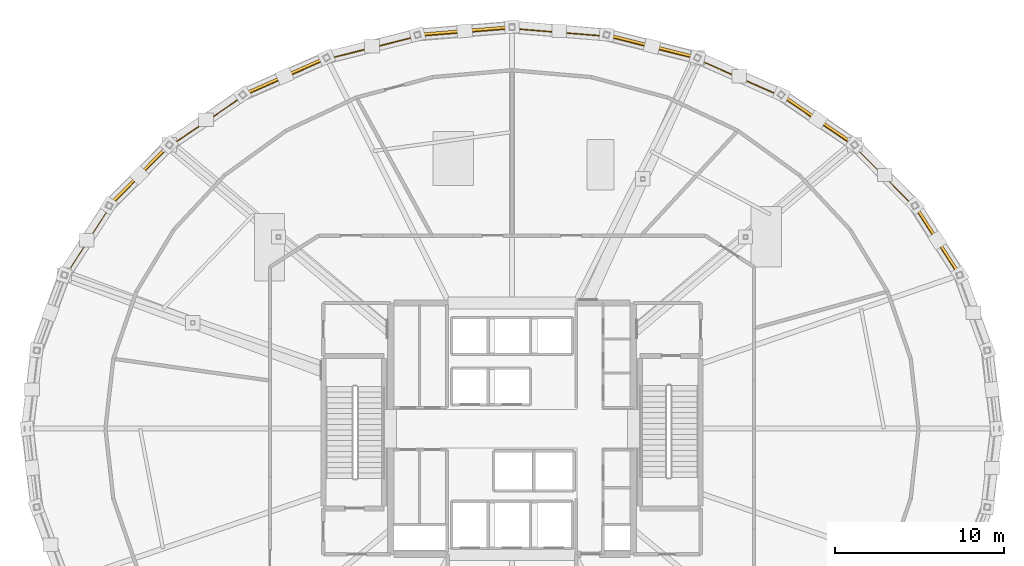
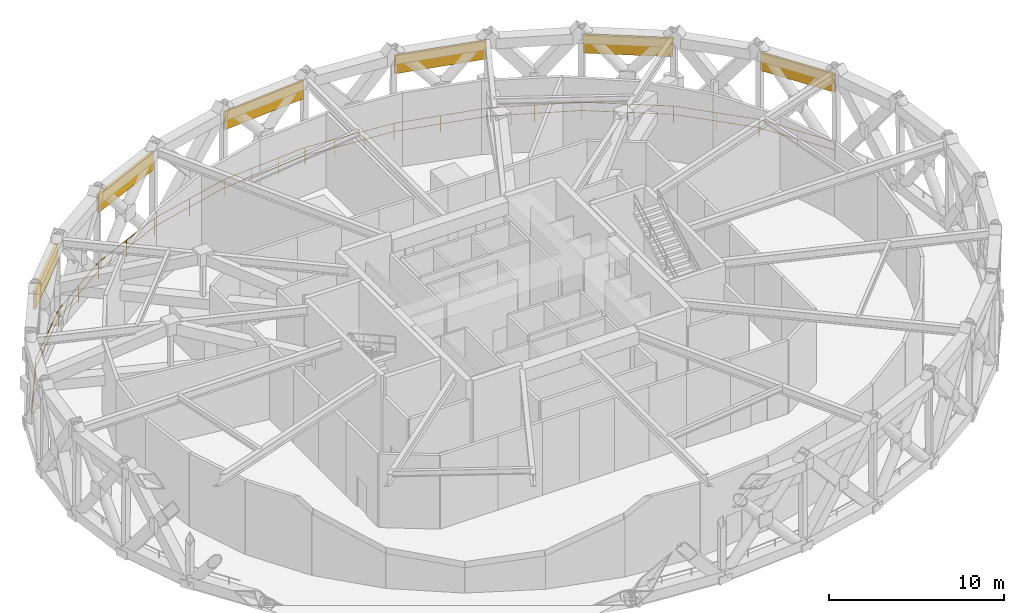
# One storey, part 14 of 15: 6 railings, 6 shading devices.
"""IFC4 building model written with IfcOpenShell, lengths in metres."""

from ifc_helpers import new_model, si_unit, direction, frame, origin, origin_2d, place, context, subcontext, project, spatial, rectangle, circle, extrude, material, layer, layer_set, type_object, element, save


model = new_model("IFC4")

# Units and contexts
model_context = context("Model", 3, precision=1e-05, world=origin(), true_north=direction((0.0, 1.0)))
body_context = subcontext(model_context, "Body", "Model", "MODEL_VIEW")
ifc_project = project(units=[si_unit("LENGTHUNIT", "METRE"), si_unit("AREAUNIT", "SQUARE_METRE"), si_unit("VOLUMEUNIT", "CUBIC_METRE"), si_unit("PLANEANGLEUNIT", "RADIAN"), si_unit("MASSUNIT", "GRAM", prefix="KILO")], contexts=[model_context])

# Site, building, storey
site_placement = place(None, origin())
site = spatial("IfcSite", under=ifc_project, at=site_placement, CompositionType="ELEMENT")
building_placement = place(site_placement, origin())
building = spatial("IfcBuilding", under=site, at=building_placement, Name="Veldorina Hangang Commons", CompositionType="ELEMENT")
storey_placement = place(building_placement, frame((0.0, 0.0, 110.800048828125)))
storey = spatial("IfcBuildingStorey", under=building, at=storey_placement, Name="L28", CompositionType="ELEMENT", Elevation=110.800048828125)

# Shading devices
ifc_material_1 = material(Name="Bronze Perforated Anodized", Category="metal")
ifc_layer = layer(ifc_material_1, 0.159912109375)
ifc_layer_set = layer_set([ifc_layer], Name="Bronze Perforated Anodized")
shading_device_type = type_object("IfcShadingDeviceType", Name="LVR-WND-4800", PredefinedType="JALOUSIE", material=ifc_layer_set)
shading_device_1_placement = place(storey_placement, frame((57.22900390625, 35.17529296875, 4.5849609375), z_axis=(0.0, 0.0, 1.0), x_axis=(-0.542016257641, 0.840368000612, 0.0)))
element("IfcShadingDevice", 1, at=shading_device_1_placement, inside=storey, type_object=shading_device_type, Name="L28 open wind-floor high storm louvre 02", PredefinedType="JALOUSIE", context=body_context, shape_type="SweptSolid", body=[
    extrude(rectangle(XDim=4.78076171875, YDim=0.159912109375, at=origin_2d()), origin(), (0.0, 0.0, 1.0), 1.25),
])
shading_device_2_placement = place(storey_placement, frame((50.14794921875, 42.32568359375, 4.5849609375), z_axis=(0.0, 0.0, 1.0), x_axis=(-0.826884319778, 0.562372049186, 0.0)))
element("IfcShadingDevice", 2, at=shading_device_2_placement, inside=storey, type_object=shading_device_type, Name="L28 open wind-floor high storm louvre 04", PredefinedType="JALOUSIE", context=body_context, shape_type="SweptSolid", body=[
    extrude(rectangle(XDim=5.14794921875, YDim=0.159912109375, at=origin_2d()), origin(), (0.0, 0.0, 1.0), 1.25),
])
shading_device_3_placement = place(storey_placement, frame((40.30419921875, 46.68603515625, 4.5849609375), z_axis=(0.0, 0.0, 1.0), x_axis=(-0.969825226686, 0.243801209355, 0.0)))
element("IfcShadingDevice", 3, at=shading_device_3_placement, inside=storey, type_object=shading_device_type, Name="L28 open wind-floor high storm louvre 06", PredefinedType="JALOUSIE", context=body_context, shape_type="SweptSolid", body=[
    extrude(rectangle(XDim=5.440185546875, YDim=0.159912109375, at=origin_2d()), origin(), (0.0, 0.0, 1.0), 1.25),
])
shading_device_4_placement = place(storey_placement, frame((29.196044921875, 47.5927734375, 4.5849609375), z_axis=(0.0, 0.0, 1.0), x_axis=(-0.996685834628, -0.081347077707, 0.0)))
element("IfcShadingDevice", 4, at=shading_device_4_placement, inside=storey, type_object=shading_device_type, Name="L28 open wind-floor high storm louvre 08", PredefinedType="JALOUSIE", context=body_context, shape_type="SweptSolid", body=[
    extrude(rectangle(XDim=5.506591796875, YDim=0.159912109375, at=origin_2d()), origin(), (0.0, 0.0, 1.0), 1.25),
])
shading_device_5_placement = place(storey_placement, frame((18.514892578125, 44.90771484375, 4.5849609375), z_axis=(0.0, 0.0, 1.0), x_axis=(-0.914310514759, -0.405013928897, 0.0)))
element("IfcShadingDevice", 5, at=shading_device_5_placement, inside=storey, type_object=shading_device_type, Name="L28 open wind-floor high storm louvre 10", PredefinedType="JALOUSIE", context=body_context, shape_type="SweptSolid", body=[
    extrude(rectangle(XDim=5.3154296875, YDim=0.159912109375, at=origin_2d()), origin(), (0.0, 0.0, 1.0), 1.25),
])
shading_device_6_placement = place(storey_placement, frame((9.88671875, 39.03955078125, 4.5849609375), z_axis=(0.0, 0.0, 1.0), x_axis=(-0.703667578356, -0.710529337304, 0.0)))
element("IfcShadingDevice", 6, at=shading_device_6_placement, inside=storey, type_object=shading_device_type, Name="L28 open wind-floor high storm louvre 12", PredefinedType="JALOUSIE", context=body_context, shape_type="SweptSolid", body=[
    extrude(rectangle(XDim=4.96044921875, YDim=0.159912109375, at=origin_2d()), origin(), (0.0, 0.0, 1.0), 1.25),
])

# Railings
ifc_material_2 = material(Name="Stainless Steel Brushed 316", Category="steel")
railing_type = type_object("IfcRailingType", Name="RL-GRD-WIND", PredefinedType="GUARDRAIL", material=ifc_material_2)
railing_1_placement = place(storey_placement, frame((58.46240234375, 33.08349609375, 0.0)))
element("IfcRailing", 7, at=railing_1_placement, inside=storey, type_object=railing_type, Name="L28 wind gallery perimeter safety guard 02", PredefinedType="GUARDRAIL", context=body_context, shape_type="SweptSolid", body=[
    extrude(circle(Radius=0.02392578125, at=origin_2d()), frame((0.0, 0.0, 1.17578125), z_axis=(-0.542446791687, 0.84009016075, 0.0), x_axis=(-0.84009016075, -0.542446791687, 0.0)), (0.0, 0.0, 1.0), 4.8837890625),
    extrude(circle(Radius=0.02392578125, at=origin_2d()), frame((0.0, 0.0, 0.60009765625), z_axis=(-0.542446791687, 0.84009016075, 0.0), x_axis=(-0.84009016075, -0.542446791687, 0.0)), (0.0, 0.0, 1.0), 4.8837890625),
    extrude(circle(Radius=0.02392578125, at=origin_2d()), frame((-2.649169921875, 4.102783203125, 1.17578125), z_axis=(-0.704158628133, 0.710042693382, 0.0), x_axis=(-0.710042693382, -0.704158628133, 0.0)), (0.0, 0.0, 1.0), 5.06201171875),
    extrude(circle(Radius=0.02392578125, at=origin_2d()), frame((-2.649169921875, 4.102783203125, 0.60009765625), z_axis=(-0.704158628133, 0.710042693382, 0.0), x_axis=(-0.710042693382, -0.704158628133, 0.0)), (0.0, 0.0, 1.0), 5.06201171875),
    extrude(circle(Radius=0.02099609375, at=origin_2d()), origin(), (0.0, 0.0, 1.0), 1.15185546875),
    extrude(circle(Radius=0.02099609375, at=origin_2d()), frame((-1.32470703125, 2.05126953125, 0.0)), (0.0, 0.0, 1.0), 1.15185546875),
    extrude(circle(Radius=0.02099609375, at=origin_2d()), frame((-2.649169921875, 4.102783203125, 0.0)), (0.0, 0.0, 1.0), 1.15185546875),
    extrude(circle(Radius=0.02099609375, at=origin_2d()), frame((-4.431396484375, 5.89990234375, 0.0)), (0.0, 0.0, 1.0), 1.15185546875),
    extrude(circle(Radius=0.02099609375, at=origin_2d()), frame((-6.213623046875, 7.697021484375, 0.0)), (0.0, 0.0, 1.0), 1.15185546875),
])
railing_2_placement = place(storey_placement, frame((52.248779296875, 40.780517578125, 0.0)))
element("IfcRailing", 8, at=railing_2_placement, inside=storey, type_object=railing_type, Name="L28 wind gallery perimeter safety guard 03", PredefinedType="GUARDRAIL", context=body_context, shape_type="SweptSolid", body=[
    extrude(circle(Radius=0.02392578125, at=origin_2d()), frame((0.0, 0.0, 1.17578125), z_axis=(-0.827260341396, 0.561818767533, 0.0), x_axis=(-0.561818767533, -0.827260341396, 0.0)), (0.0, 0.0, 1.0), 5.248046875),
    extrude(circle(Radius=0.02392578125, at=origin_2d()), frame((0.0, 0.0, 0.60009765625), z_axis=(-0.827260341396, 0.561818767533, 0.0), x_axis=(-0.561818767533, -0.827260341396, 0.0)), (0.0, 0.0, 1.0), 5.248046875),
    extrude(circle(Radius=0.02392578125, at=origin_2d()), frame((-4.341552734375, 2.948486328125, 1.17578125), z_axis=(-0.914550093423, 0.4044726525, 0.0), x_axis=(-0.4044726525, -0.914550093423, 0.0)), (0.0, 0.0, 1.0), 5.414306640625),
    extrude(circle(Radius=0.02392578125, at=origin_2d()), frame((-4.341552734375, 2.948486328125, 0.60009765625), z_axis=(-0.914550093423, 0.4044726525, 0.0), x_axis=(-0.4044726525, -0.914550093423, 0.0)), (0.0, 0.0, 1.0), 5.414306640625),
    extrude(circle(Radius=0.02099609375, at=origin_2d()), origin(), (0.0, 0.0, 1.0), 1.15185546875),
    extrude(circle(Radius=0.02099609375, at=origin_2d()), frame((-2.1708984375, 1.47412109375, 0.0)), (0.0, 0.0, 1.0), 1.15185546875),
    extrude(circle(Radius=0.02099609375, at=origin_2d()), frame((-4.341552734375, 2.948486328125, 0.0)), (0.0, 0.0, 1.0), 1.15185546875),
    extrude(circle(Radius=0.02099609375, at=origin_2d()), frame((-6.8173828125, 4.04345703125, 0.0)), (0.0, 0.0, 1.0), 1.15185546875),
    extrude(circle(Radius=0.02099609375, at=origin_2d()), frame((-9.293212890625, 5.138427734375, 0.0)), (0.0, 0.0, 1.0), 1.15185546875),
])
railing_3_placement = place(storey_placement, frame((42.95556640625, 45.9189453125, 0.0)))
element("IfcRailing", 9, at=railing_3_placement, inside=storey, type_object=railing_type, Name="L28 wind gallery perimeter safety guard 04", PredefinedType="GUARDRAIL", context=body_context, shape_type="SweptSolid", body=[
    extrude(circle(Radius=0.02392578125, at=origin_2d()), frame((0.0, 0.0, 1.17578125), z_axis=(-0.969932061179, 0.243375834252, 0.0), x_axis=(-0.243375834252, -0.969932061179, 0.0)), (0.0, 0.0, 1.0), 5.537353515625),
    extrude(circle(Radius=0.02392578125, at=origin_2d()), frame((0.0, 0.0, 0.60009765625), z_axis=(-0.969932061179, 0.243375834252, 0.0), x_axis=(-0.243375834252, -0.969932061179, 0.0)), (0.0, 0.0, 1.0), 5.537353515625),
    extrude(circle(Radius=0.02392578125, at=origin_2d()), frame((-5.370849609375, 1.34765625, 1.17578125), z_axis=(-0.996696431053, 0.081217143059, 0.0), x_axis=(-0.081217143059, -0.996696431053, 0.0)), (0.0, 0.0, 1.0), 5.603271484375),
    extrude(circle(Radius=0.02392578125, at=origin_2d()), frame((-5.370849609375, 1.34765625, 0.60009765625), z_axis=(-0.996696431053, 0.081217143059, 0.0), x_axis=(-0.081217143059, -0.996696431053, 0.0)), (0.0, 0.0, 1.0), 5.603271484375),
    extrude(circle(Radius=0.02099609375, at=origin_2d()), origin(), (0.0, 0.0, 1.0), 1.15185546875),
    extrude(circle(Radius=0.02099609375, at=origin_2d()), frame((-2.685546875, 0.673828125, 0.0)), (0.0, 0.0, 1.0), 1.15185546875),
    extrude(circle(Radius=0.02099609375, at=origin_2d()), frame((-5.370849609375, 1.34765625, 0.0)), (0.0, 0.0, 1.0), 1.15185546875),
    extrude(circle(Radius=0.02099609375, at=origin_2d()), frame((-7.232421875, 1.499267578125, 0.0)), (0.0, 0.0, 1.0), 1.15185546875),
    extrude(circle(Radius=0.02099609375, at=origin_2d()), frame((-9.093994140625, 1.651123046875, 0.0)), (0.0, 0.0, 1.0), 1.15185546875),
    extrude(circle(Radius=0.02099609375, at=origin_2d()), frame((-10.95556640625, 1.802734375, 0.0)), (0.0, 0.0, 1.0), 1.15185546875),
])
railing_4_placement = place(storey_placement, frame((32.0, 47.7216796875, 0.0)))
element("IfcRailing", 10, at=railing_4_placement, inside=storey, type_object=railing_type, Name="L28 wind gallery perimeter safety guard 05", PredefinedType="GUARDRAIL", context=body_context, shape_type="SweptSolid", body=[
    extrude(circle(Radius=0.02392578125, at=origin_2d()), frame((0.0, 0.0, 1.17578125), z_axis=(-0.996696431053, -0.081217143059, 0.0), x_axis=(0.081217143059, -0.996696431053, 0.0)), (0.0, 0.0, 1.0), 5.603271484375),
    extrude(circle(Radius=0.02392578125, at=origin_2d()), frame((0.0, 0.0, 0.60009765625), z_axis=(-0.996696431053, -0.081217143059, 0.0), x_axis=(0.081217143059, -0.996696431053, 0.0)), (0.0, 0.0, 1.0), 5.603271484375),
    extrude(circle(Radius=0.02392578125, at=origin_2d()), frame((-5.584716796875, -0.455078125, 1.17578125), z_axis=(-0.969932061179, -0.243375834252, 0.0), x_axis=(0.243375834252, -0.969932061179, 0.0)), (0.0, 0.0, 1.0), 5.537353515625),
    extrude(circle(Radius=0.02392578125, at=origin_2d()), frame((-5.584716796875, -0.455078125, 0.60009765625), z_axis=(-0.969932061179, -0.243375834252, 0.0), x_axis=(0.243375834252, -0.969932061179, 0.0)), (0.0, 0.0, 1.0), 5.537353515625),
    extrude(circle(Radius=0.02099609375, at=origin_2d()), origin(), (0.0, 0.0, 1.0), 1.15185546875),
    extrude(circle(Radius=0.02099609375, at=origin_2d()), frame((-1.861572265625, -0.151611328125, 0.0)), (0.0, 0.0, 1.0), 1.15185546875),
    extrude(circle(Radius=0.02099609375, at=origin_2d()), frame((-3.72314453125, -0.303466796875, 0.0)), (0.0, 0.0, 1.0), 1.15185546875),
    extrude(circle(Radius=0.02099609375, at=origin_2d()), frame((-5.584716796875, -0.455078125, 0.0)), (0.0, 0.0, 1.0), 1.15185546875),
    extrude(circle(Radius=0.02099609375, at=origin_2d()), frame((-8.27001953125, -1.12890625, 0.0)), (0.0, 0.0, 1.0), 1.15185546875),
    extrude(circle(Radius=0.02099609375, at=origin_2d()), frame((-10.95556640625, -1.802734375, 0.0)), (0.0, 0.0, 1.0), 1.15185546875),
])
railing_5_placement = place(storey_placement, frame((21.04443359375, 45.9189453125, 0.0)))
element("IfcRailing", 11, at=railing_5_placement, inside=storey, type_object=railing_type, Name="L28 wind gallery perimeter safety guard 06", PredefinedType="GUARDRAIL", context=body_context, shape_type="SweptSolid", body=[
    extrude(circle(Radius=0.02392578125, at=origin_2d()), frame((0.0, 0.0, 1.17578125), z_axis=(-0.914550093423, -0.4044726525, 0.0), x_axis=(0.4044726525, -0.914550093423, 0.0)), (0.0, 0.0, 1.0), 5.414306640625),
    extrude(circle(Radius=0.02392578125, at=origin_2d()), frame((0.0, 0.0, 0.60009765625), z_axis=(-0.914550093423, -0.4044726525, 0.0), x_axis=(0.4044726525, -0.914550093423, 0.0)), (0.0, 0.0, 1.0), 5.414306640625),
    extrude(circle(Radius=0.02392578125, at=origin_2d()), frame((-4.95166015625, -2.18994140625, 1.17578125), z_axis=(-0.827260341396, -0.561818767533, 0.0), x_axis=(0.561818767533, -0.827260341396, 0.0)), (0.0, 0.0, 1.0), 5.248046875),
    extrude(circle(Radius=0.02392578125, at=origin_2d()), frame((-4.95166015625, -2.18994140625, 0.60009765625), z_axis=(-0.827260341396, -0.561818767533, 0.0), x_axis=(0.561818767533, -0.827260341396, 0.0)), (0.0, 0.0, 1.0), 5.248046875),
    extrude(circle(Radius=0.02099609375, at=origin_2d()), origin(), (0.0, 0.0, 1.0), 1.15185546875),
    extrude(circle(Radius=0.02099609375, at=origin_2d()), frame((-2.475830078125, -1.094970703125, 0.0)), (0.0, 0.0, 1.0), 1.15185546875),
    extrude(circle(Radius=0.02099609375, at=origin_2d()), frame((-4.95166015625, -2.18994140625, 0.0)), (0.0, 0.0, 1.0), 1.15185546875),
    extrude(circle(Radius=0.02099609375, at=origin_2d()), frame((-7.12255859375, -3.6640625, 0.0)), (0.0, 0.0, 1.0), 1.15185546875),
    extrude(circle(Radius=0.02099609375, at=origin_2d()), frame((-9.293212890625, -5.138427734375, 0.0)), (0.0, 0.0, 1.0), 1.15185546875),
])
railing_6_placement = place(storey_placement, frame((11.751220703125, 40.780517578125, 0.0)))
element("IfcRailing", 12, at=railing_6_placement, inside=storey, type_object=railing_type, Name="L28 wind gallery perimeter safety guard 07", PredefinedType="GUARDRAIL", context=body_context, shape_type="SweptSolid", body=[
    extrude(circle(Radius=0.02392578125, at=origin_2d()), frame((0.0, 0.0, 1.17578125), z_axis=(-0.704158628133, -0.710042693382, 0.0), x_axis=(0.710042693382, -0.704158628133, 0.0)), (0.0, 0.0, 1.0), 5.06201171875),
    extrude(circle(Radius=0.02392578125, at=origin_2d()), frame((0.0, 0.0, 0.60009765625), z_axis=(-0.704158628133, -0.710042693382, 0.0), x_axis=(0.710042693382, -0.704158628133, 0.0)), (0.0, 0.0, 1.0), 5.06201171875),
    extrude(circle(Radius=0.02392578125, at=origin_2d()), frame((-3.564453125, -3.59423828125, 1.17578125), z_axis=(-0.542446791687, -0.84009016075, 0.0), x_axis=(0.84009016075, -0.542446791687, 0.0)), (0.0, 0.0, 1.0), 4.8837890625),
    extrude(circle(Radius=0.02392578125, at=origin_2d()), frame((-3.564453125, -3.59423828125, 0.60009765625), z_axis=(-0.542446791687, -0.84009016075, 0.0), x_axis=(0.84009016075, -0.542446791687, 0.0)), (0.0, 0.0, 1.0), 4.8837890625),
    extrude(circle(Radius=0.02099609375, at=origin_2d()), origin(), (0.0, 0.0, 1.0), 1.15185546875),
    extrude(circle(Radius=0.02099609375, at=origin_2d()), frame((-1.7822265625, -1.797119140625, 0.0)), (0.0, 0.0, 1.0), 1.15185546875),
    extrude(circle(Radius=0.02099609375, at=origin_2d()), frame((-3.564453125, -3.59423828125, 0.0)), (0.0, 0.0, 1.0), 1.15185546875),
    extrude(circle(Radius=0.02099609375, at=origin_2d()), frame((-4.88916015625, -5.6455078125, 0.0)), (0.0, 0.0, 1.0), 1.15185546875),
    extrude(circle(Radius=0.02099609375, at=origin_2d()), frame((-6.213623046875, -7.697021484375, 0.0)), (0.0, 0.0, 1.0), 1.15185546875),
])

save(model, "model.ifc")
